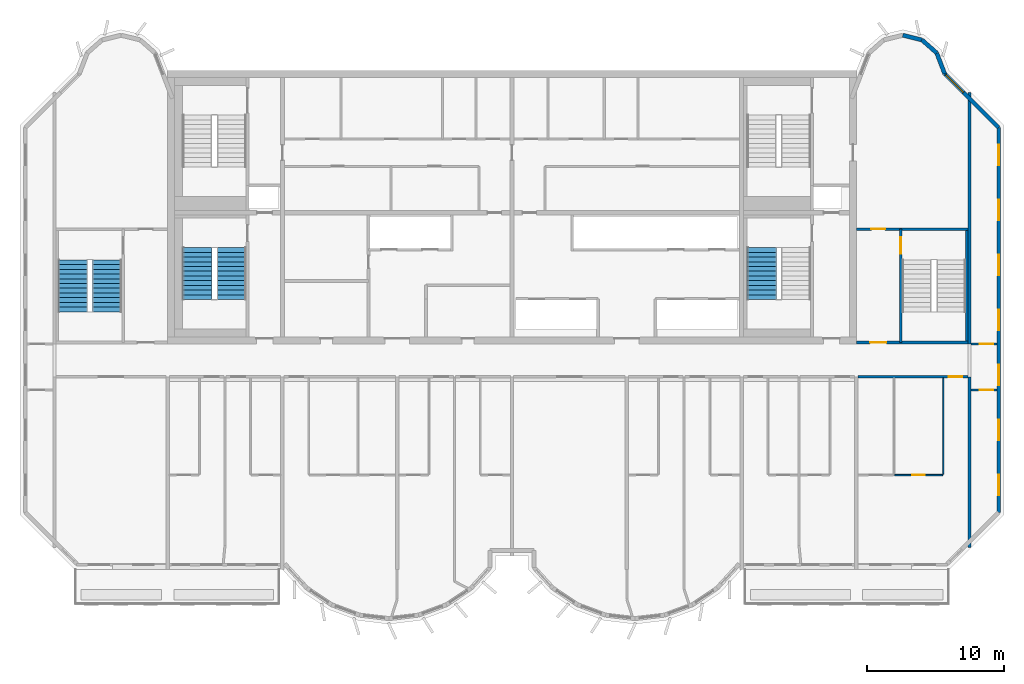
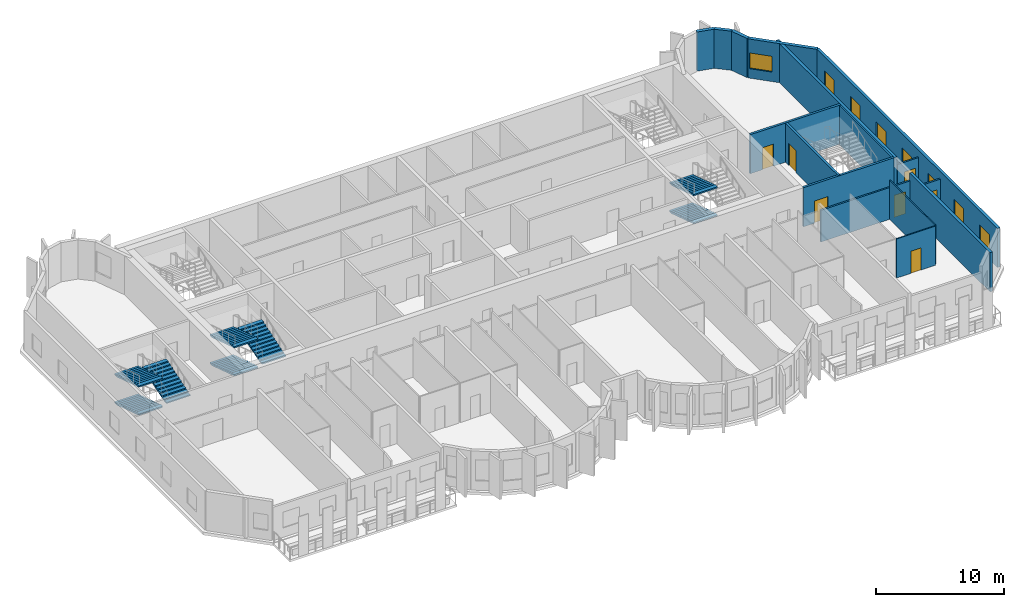
# One storey, part 8 of 12: 16 walls, 8 stair flights, 8 windows, 7 doors, 15 openings, 3 elements without a shape of their own.
"""IFC4 building model written with IfcOpenShell, lengths in metres."""

from ifc_helpers import new_model, si_unit, direction, frame, frame_2d, origin, place, context, subcontext, project, spatial, polyline, rectangle, outline, extrude, source, transform, mapped, material, layer, layer_set, type_object, element, fill, aggregate, save


model = new_model("IFC4")

# Units and contexts
model_context = context("Model", 3, precision=1e-05, world=origin(), true_north=direction((0.0, 1.0)))
body_context = subcontext(model_context, "Body", "Model", "MODEL_VIEW")
ifc_project = project(units=[si_unit("LENGTHUNIT", "METRE"), si_unit("AREAUNIT", "SQUARE_METRE"), si_unit("VOLUMEUNIT", "CUBIC_METRE"), si_unit("PLANEANGLEUNIT", "RADIAN"), si_unit("MASSUNIT", "GRAM", prefix="KILO")], contexts=[model_context])

# Site, building, storey
site_placement = place(None, origin())
site = spatial("IfcSite", under=ifc_project, at=site_placement, CompositionType="ELEMENT")
building_placement = place(site_placement, origin())
building = spatial("IfcBuilding", under=site, at=building_placement, Name="Vanashikhar Sky Hotel", CompositionType="ELEMENT")
storey_placement = place(building_placement, frame((0.0, 0.0, 301.699951171875)))
storey = spatial("IfcBuildingStorey", under=building, at=storey_placement, Name="L72", CompositionType="ELEMENT", Elevation=301.699951171875)

# Walls
ifc_material_1 = material(Name="Concrete M50", Category="concrete")
ifc_layer_1 = layer(ifc_material_1, 0.25)
ifc_layer_set_1 = layer_set([ifc_layer_1], Name="RC shear wall 250 Concrete M50")
wall_type_1 = type_object("IfcWallType", Name="RC shear wall 250 Concrete M50", PredefinedType="SHEAR", material=ifc_layer_set_1)
shared_shape_1 = source(origin(), body_context, "Body", "SweptSolid", [
    extrude(rectangle(XDim=12.5, YDim=0.25, at=frame_2d((6.25, 0.0))), origin(), (0.0, 0.0, 1.0), 3.719970703125),
])
wall_1_placement = place(storey_placement, frame((83.875, 7.10009765625, 0.0), z_axis=(0.0, 0.0, 1.0), x_axis=(0.0, 1.0, 0.0)))
element("IfcWall", 1, at=wall_1_placement, inside=storey, type_object=wall_type_1, Name="CW-L72-XW11-1", PredefinedType="SHEAR", context=body_context, shape_type="MappedRepresentation", body=[
    mapped(shared_shape_1, transform((0.0, 0.0, 0.0), scale=1.0)),
])
shared_shape_2 = source(origin(), body_context, "Body", "SweptSolid", [
    extrude(rectangle(XDim=18.39990234375, YDim=0.25, at=frame_2d((9.199951171875, 0.0))), origin(), (0.0, 0.0, 1.0), 3.719970703125),
])
wall_2_placement = place(storey_placement, frame((83.875, 22.0, 0.0), z_axis=(0.0, 0.0, 1.0), x_axis=(0.0, 1.0, 0.0)))
element("IfcWall", 2, at=wall_2_placement, inside=storey, type_object=wall_type_1, Name="CW-L72-XW11-2", PredefinedType="SHEAR", context=body_context, shape_type="MappedRepresentation", body=[
    mapped(shared_shape_2, transform((0.0, 0.0, 0.0), scale=1.0)),
])

# Wall, opening, window
ifc_layer_2 = layer(ifc_material_1, 0.300048828125)
ifc_layer_set_2 = layer_set([ifc_layer_2], Name="Lobe wall 300")
wall_type_2 = type_object("IfcWallType", Name="Lobe wall 300", PredefinedType="SOLIDWALL", material=ifc_layer_set_2)
shared_shape_3 = source(origin(), body_context, "Body", "SweptSolid", [
    extrude(rectangle(XDim=5.576416015625, YDim=0.300048828125, at=frame_2d((2.7880859375, 0.0))), origin(), (0.0, 0.0, 1.0), 3.719970703125),
])
wall_3_placement = place(storey_placement, frame((86.0, 37.834228515625, 0.0), z_axis=(0.0, 0.0, 1.0), x_axis=(-0.707106781187, 0.707106781187, 0.0)))
wall_3 = element("IfcWall", 3, at=wall_3_placement, inside=storey, type_object=wall_type_2, Name="Corner wall", PredefinedType="SOLIDWALL", context=body_context, shape_type="MappedRepresentation", body=[
    mapped(shared_shape_3, transform((0.0, 0.0, 0.0), scale=1.0)),
])
shared_shape_4 = source(origin(), body_context, "Body", "SweptSolid", [
    extrude(rectangle(XDim=1.800048828125, YDim=1.5, at=frame_2d((0.89990234375, 0.75))), frame((0.0, 0.16015625, 0.0), z_axis=(0.0, -1.0, 0.0), x_axis=(1.0, 0.0, 0.0)), (0.0, 0.0, 1.0), 0.320068359375),
])
opening_1_placement = place(wall_3_placement, frame((3.640869140625, 0.0, 0.89990234375)))
opening_1 = element("IfcOpeningElement", 4, at=opening_1_placement, cuts=wall_3, Name="Opening WN-4", PredefinedType="OPENING", context=body_context, shape_type="MappedRepresentation", body=[
    mapped(shared_shape_4, transform((0.0, 0.0, 0.0), scale=1.0)),
])
ifc_material_2 = material(Name="Glass", Category="glass")
window_type_1 = type_object("IfcWindowType", Name="Corner window 1800 x 1500", PartitioningType="SINGLE_PANEL", PredefinedType="WINDOW", material=ifc_material_2)
shared_shape_5 = source(origin(), body_context, "Body", "SweptSolid", [
    extrude(rectangle(XDim=1.800048828125, YDim=1.5, at=frame_2d((0.89990234375, 0.75))), frame((0.0, 0.030029296875, 0.0), z_axis=(0.0, -1.0, 0.0), x_axis=(1.0, 0.0, 0.0)), (0.0, 0.0, 1.0), 0.06005859375),
])
window_1_placement = place(opening_1_placement, origin())
window_1 = element("IfcWindow", 5, at=window_1_placement, inside=storey, type_object=window_type_1, Name="Window WN-4", OverallHeight=1.5, OverallWidth=1.800048828125, PartitioningType="SINGLE_PANEL", PredefinedType="WINDOW", context=body_context, shape_type="MappedRepresentation", body=[
    mapped(shared_shape_5, transform((0.0, 0.0, 0.0), scale=1.0)),
])
fill(opening_1, window_1)

# Walls
shared_shape_6 = source(origin(), body_context, "Body", "SweptSolid", [
    extrude(rectangle(XDim=1.6220703125, YDim=0.300048828125, at=frame_2d((0.81103515625, 0.0))), origin(), (0.0, 0.0, 1.0), 3.719970703125),
])
wall_4_placement = place(storey_placement, frame((82.056884765625, 41.77734375, 0.0), z_axis=(0.0, 0.0, 1.0), x_axis=(-0.357778527068, 0.933806471154, 0.0)))
element("IfcWall", 6, at=wall_4_placement, inside=storey, type_object=wall_type_2, Name="Lobe wall", PredefinedType="SOLIDWALL", context=body_context, shape_type="MappedRepresentation", body=[
    mapped(shared_shape_6, transform((0.0, 0.0, 0.0), scale=1.0)),
])
shared_shape_7 = source(origin(), body_context, "Body", "SweptSolid", [
    extrude(rectangle(XDim=1.43994140625, YDim=0.300048828125, at=frame_2d((0.719970703125, 0.0))), origin(), (0.0, 0.0, 1.0), 3.719970703125),
])
wall_5_placement = place(storey_placement, frame((81.4765625, 43.2919921875, 0.0), z_axis=(0.0, 0.0, 1.0), x_axis=(-0.74957555648, 0.661918790432, 0.0)))
element("IfcWall", 7, at=wall_5_placement, inside=storey, type_object=wall_type_2, Name="Lobe wall", PredefinedType="SOLIDWALL", context=body_context, shape_type="MappedRepresentation", body=[
    mapped(shared_shape_7, transform((0.0, 0.0, 0.0), scale=1.0)),
])
shared_shape_8 = source(origin(), body_context, "Body", "SweptSolid", [
    extrude(rectangle(XDim=1.438720703125, YDim=0.300048828125, at=frame_2d((0.71923828125, 0.0))), origin(), (0.0, 0.0, 1.0), 3.719970703125),
])
wall_6_placement = place(storey_placement, frame((80.397216796875, 44.2451171875, 0.0), z_axis=(0.0, 0.0, 1.0), x_axis=(-0.971161932466, 0.238420848351, 0.0)))
element("IfcWall", 8, at=wall_6_placement, inside=storey, type_object=wall_type_2, Name="Lobe wall", PredefinedType="SOLIDWALL", context=body_context, shape_type="MappedRepresentation", body=[
    mapped(shared_shape_8, transform((0.0, 0.0, 0.0), scale=1.0)),
])

# Wall, openings, windows
ifc_layer_3 = layer(ifc_material_1, 0.25)
ifc_layer_set_3 = layer_set([ifc_layer_3], Name="Rear and end board-marked wall 250")
wall_type_3 = type_object("IfcWallType", Name="Rear and end board-marked wall 250", PredefinedType="SOLIDWALL", material=ifc_layer_set_3)
shared_shape_9 = source(origin(), body_context, "Body", "SweptSolid", [
    extrude(rectangle(XDim=28.189453125, YDim=0.25, at=frame_2d((14.0947265625, 0.0))), origin(), (0.0, 0.0, 1.0), 3.719970703125),
])
wall_7_placement = place(storey_placement, frame((86.02490234375, 9.6552734375, 0.0), z_axis=(0.0, 0.0, 1.0), x_axis=(0.0, 1.0, 0.0)))
wall_7 = element("IfcWall", 9, at=wall_7_placement, inside=storey, type_object=wall_type_3, Name="End board-marked wall", PredefinedType="SOLIDWALL", context=body_context, shape_type="MappedRepresentation", body=[
    mapped(shared_shape_9, transform((0.0, 0.0, 0.0), scale=1.0)),
])
shared_shape_10 = source(origin(), body_context, "Body", "SweptSolid", [
    extrude(rectangle(XDim=1.5, YDim=1.5, at=frame_2d((0.75, 0.75))), frame((0.0, 0.135009765625, 0.0), z_axis=(0.0, -1.0, 0.0), x_axis=(1.0, 0.0, 0.0)), (0.0, 0.0, 1.0), 0.27001953125),
])
opening_2_placement = place(wall_7_placement, frame((1.263427734375, 0.0, 0.89990234375)))
opening_2 = element("IfcOpeningElement", 10, at=opening_2_placement, cuts=wall_7, Name="Opening WN-1", PredefinedType="OPENING", context=body_context, shape_type="MappedRepresentation", body=[
    mapped(shared_shape_10, transform((0.0, 0.0, 0.0), scale=1.0)),
])
opening_3_placement = place(wall_7_placement, frame((5.29052734375, 0.0, 0.89990234375)))
opening_3 = element("IfcOpeningElement", 11, at=opening_3_placement, cuts=wall_7, Name="Opening WN-1", PredefinedType="OPENING", context=body_context, shape_type="MappedRepresentation", body=[
    mapped(shared_shape_10, transform((0.0, 0.0, 0.0), scale=1.0)),
])
opening_4_placement = place(wall_7_placement, frame((9.317626953125, 0.0, 0.89990234375)))
opening_4 = element("IfcOpeningElement", 12, at=opening_4_placement, cuts=wall_7, Name="Opening WN-1", PredefinedType="OPENING", context=body_context, shape_type="MappedRepresentation", body=[
    mapped(shared_shape_10, transform((0.0, 0.0, 0.0), scale=1.0)),
])
opening_5_placement = place(wall_7_placement, frame((13.3447265625, 0.0, 0.89990234375)))
opening_5 = element("IfcOpeningElement", 13, at=opening_5_placement, cuts=wall_7, Name="Opening WN-1", PredefinedType="OPENING", context=body_context, shape_type="MappedRepresentation", body=[
    mapped(shared_shape_10, transform((0.0, 0.0, 0.0), scale=1.0)),
])
opening_6_placement = place(wall_7_placement, frame((17.371826171875, 0.0, 0.89990234375)))
opening_6 = element("IfcOpeningElement", 14, at=opening_6_placement, cuts=wall_7, Name="Opening WN-1", PredefinedType="OPENING", context=body_context, shape_type="MappedRepresentation", body=[
    mapped(shared_shape_10, transform((0.0, 0.0, 0.0), scale=1.0)),
])
opening_7_placement = place(wall_7_placement, frame((21.398681640625, 0.0, 0.89990234375)))
opening_7 = element("IfcOpeningElement", 15, at=opening_7_placement, cuts=wall_7, Name="Opening WN-1", PredefinedType="OPENING", context=body_context, shape_type="MappedRepresentation", body=[
    mapped(shared_shape_10, transform((0.0, 0.0, 0.0), scale=1.0)),
])
opening_8_placement = place(wall_7_placement, frame((25.42578125, 0.0, 0.89990234375)))
opening_8 = element("IfcOpeningElement", 16, at=opening_8_placement, cuts=wall_7, Name="Opening WN-1", PredefinedType="OPENING", context=body_context, shape_type="MappedRepresentation", body=[
    mapped(shared_shape_10, transform((0.0, 0.0, 0.0), scale=1.0)),
])
window_type_2 = type_object("IfcWindowType", Name="Window 1500 x 1500", PartitioningType="SINGLE_PANEL", PredefinedType="WINDOW", material=ifc_material_2)
shared_shape_11 = source(origin(), body_context, "Body", "SweptSolid", [
    extrude(rectangle(XDim=1.5, YDim=1.5, at=frame_2d((0.75, 0.75))), frame((0.0, 0.030029296875, 0.0), z_axis=(0.0, -1.0, 0.0), x_axis=(1.0, 0.0, 0.0)), (0.0, 0.0, 1.0), 0.06005859375),
])
window_2_placement = place(opening_2_placement, origin())
window_2 = element("IfcWindow", 17, at=window_2_placement, inside=storey, type_object=window_type_2, Name="Window WN-1", OverallHeight=1.5, OverallWidth=1.5, PartitioningType="SINGLE_PANEL", PredefinedType="WINDOW", context=body_context, shape_type="MappedRepresentation", body=[
    mapped(shared_shape_11, transform((0.0, 0.0, 0.0), scale=1.0)),
])
fill(opening_2, window_2)
window_3_placement = place(opening_3_placement, origin())
window_3 = element("IfcWindow", 18, at=window_3_placement, inside=storey, type_object=window_type_2, Name="Window WN-1", OverallHeight=1.5, OverallWidth=1.5, PartitioningType="SINGLE_PANEL", PredefinedType="WINDOW", context=body_context, shape_type="MappedRepresentation", body=[
    mapped(shared_shape_11, transform((0.0, 0.0, 0.0), scale=1.0)),
])
fill(opening_3, window_3)
window_4_placement = place(opening_4_placement, origin())
window_4 = element("IfcWindow", 19, at=window_4_placement, inside=storey, type_object=window_type_2, Name="Window WN-1", OverallHeight=1.5, OverallWidth=1.5, PartitioningType="SINGLE_PANEL", PredefinedType="WINDOW", context=body_context, shape_type="MappedRepresentation", body=[
    mapped(shared_shape_11, transform((0.0, 0.0, 0.0), scale=1.0)),
])
fill(opening_4, window_4)
window_5_placement = place(opening_5_placement, origin())
window_5 = element("IfcWindow", 20, at=window_5_placement, inside=storey, type_object=window_type_2, Name="Window WN-1", OverallHeight=1.5, OverallWidth=1.5, PartitioningType="SINGLE_PANEL", PredefinedType="WINDOW", context=body_context, shape_type="MappedRepresentation", body=[
    mapped(shared_shape_11, transform((0.0, 0.0, 0.0), scale=1.0)),
])
fill(opening_5, window_5)
window_6_placement = place(opening_6_placement, origin())
window_6 = element("IfcWindow", 21, at=window_6_placement, inside=storey, type_object=window_type_2, Name="Window WN-1", OverallHeight=1.5, OverallWidth=1.5, PartitioningType="SINGLE_PANEL", PredefinedType="WINDOW", context=body_context, shape_type="MappedRepresentation", body=[
    mapped(shared_shape_11, transform((0.0, 0.0, 0.0), scale=1.0)),
])
fill(opening_6, window_6)
window_7_placement = place(opening_7_placement, origin())
window_7 = element("IfcWindow", 22, at=window_7_placement, inside=storey, type_object=window_type_2, Name="Window WN-1", OverallHeight=1.5, OverallWidth=1.5, PartitioningType="SINGLE_PANEL", PredefinedType="WINDOW", context=body_context, shape_type="MappedRepresentation", body=[
    mapped(shared_shape_11, transform((0.0, 0.0, 0.0), scale=1.0)),
])
fill(opening_7, window_7)
window_8_placement = place(opening_8_placement, origin())
window_8 = element("IfcWindow", 23, at=window_8_placement, inside=storey, type_object=window_type_2, Name="Window WN-1", OverallHeight=1.5, OverallWidth=1.5, PartitioningType="SINGLE_PANEL", PredefinedType="WINDOW", context=body_context, shape_type="MappedRepresentation", body=[
    mapped(shared_shape_11, transform((0.0, 0.0, 0.0), scale=1.0)),
])
fill(opening_8, window_8)

# Wall, opening, door
ifc_layer_4 = layer(ifc_material_1, 0.199951171875)
ifc_layer_set_4 = layer_set([ifc_layer_4], Name="Stair wall 200")
wall_type_4 = type_object("IfcWallType", Name="Stair wall 200", PredefinedType="SOLIDWALL", material=ifc_layer_set_4)
shared_shape_12 = source(origin(), body_context, "Body", "SweptSolid", [
    extrude(rectangle(XDim=8.2998046875, YDim=0.199951171875, at=frame_2d((4.14990234375, 0.0))), origin(), (0.0, 0.0, 1.0), 3.719970703125),
])
wall_8_placement = place(storey_placement, frame((78.85009765625, 22.10009765625, 0.0), z_axis=(0.0, 0.0, 1.0), x_axis=(0.0, 1.0, 0.0)))
wall_8 = element("IfcWall", 24, at=wall_8_placement, inside=storey, type_object=wall_type_4, Name="Stair wall 200", PredefinedType="SOLIDWALL", context=body_context, shape_type="MappedRepresentation", body=[
    mapped(shared_shape_12, transform((0.0, 0.0, 0.0), scale=1.0)),
])
shared_shape_13 = source(origin(), body_context, "Body", "SweptSolid", [
    extrude(rectangle(XDim=1.199951171875, YDim=2.10009765625, at=frame_2d((0.60009765625, 1.050048828125))), frame((0.0, 0.10986328125, 0.0), z_axis=(0.0, -1.0, 0.0), x_axis=(1.0, 0.0, 0.0)), (0.0, 0.0, 1.0), 0.219970703125),
])
opening_9_placement = place(wall_8_placement, frame((6.5, 0.0, 0.0)))
opening_9 = element("IfcOpeningElement", 25, at=opening_9_placement, cuts=wall_8, Name="Opening DC-1", PredefinedType="OPENING", context=body_context, shape_type="MappedRepresentation", body=[
    mapped(shared_shape_13, transform((0.0, 0.0, 0.0), scale=1.0)),
])
ifc_material_3 = material(Name="Steel", Category="steel")
door_type_1 = type_object("IfcDoorType", Name="Stair door 1200 FD120", OperationType="NOTDEFINED", PredefinedType="DOOR", material=ifc_material_3)
shared_shape_14 = source(origin(), body_context, "Body", "SweptSolid", [
    extrude(rectangle(XDim=1.199951171875, YDim=2.10009765625, at=frame_2d((0.60009765625, 1.050048828125))), frame((0.0, 0.02490234375, 0.0), z_axis=(0.0, -1.0, 0.0), x_axis=(1.0, 0.0, 0.0)), (0.0, 0.0, 1.0), 0.050048828125),
])
door_1_placement = place(opening_9_placement, origin())
door_1 = element("IfcDoor", 26, at=door_1_placement, inside=storey, type_object=door_type_1, Name="Stair door 1200 FD120", OperationType="SINGLE_SWING_LEFT", OverallHeight=2.10009765625, OverallWidth=1.199951171875, PredefinedType="DOOR", context=body_context, shape_type="MappedRepresentation", body=[
    mapped(shared_shape_14, transform((0.0, 0.0, 0.0), scale=1.0)),
])
fill(opening_9, door_1)

shared_shape_15 = source(origin(), body_context, "Body", "SweptSolid", [
    extrude(rectangle(XDim=8.14990234375, YDim=0.199951171875, at=frame_2d((4.074951171875, 0.0))), origin(), (0.0, 0.0, 1.0), 3.719970703125),
])
wall_9_placement = place(storey_placement, frame((83.75, 22.10009765625, 0.0), z_axis=(0.0, 0.0, 1.0), x_axis=(-1.0, 0.0, 0.0)))
wall_9 = element("IfcWall", 27, at=wall_9_placement, inside=storey, type_object=wall_type_4, Name="Stair wall 200", PredefinedType="SOLIDWALL", context=body_context, shape_type="MappedRepresentation", body=[
    mapped(shared_shape_15, transform((0.0, 0.0, 0.0), scale=1.0)),
])
opening_10_placement = place(wall_9_placement, frame((5.949951171875, 0.0, 0.0)))
opening_10 = element("IfcOpeningElement", 28, at=opening_10_placement, cuts=wall_9, Name="Opening DC-2", PredefinedType="OPENING", context=body_context, shape_type="MappedRepresentation", body=[
    mapped(shared_shape_13, transform((0.0, 0.0, 0.0), scale=1.0)),
])
door_type_2 = type_object("IfcDoorType", Name="Firefighting lobby door 1200 FD120", OperationType="NOTDEFINED", PredefinedType="DOOR", material=ifc_material_3)
door_2_placement = place(opening_10_placement, origin())
door_2 = element("IfcDoor", 29, at=door_2_placement, inside=storey, type_object=door_type_2, Name="Firefighting lobby door 1200 FD120", OperationType="SINGLE_SWING_LEFT", OverallHeight=2.10009765625, OverallWidth=1.199951171875, PredefinedType="DOOR", context=body_context, shape_type="MappedRepresentation", body=[
    mapped(shared_shape_14, transform((0.0, 0.0, 0.0), scale=1.0)),
])
fill(opening_10, door_2)

wall_10_placement = place(storey_placement, frame((83.75, 30.39990234375, 0.0), z_axis=(0.0, 0.0, 1.0), x_axis=(-1.0, 0.0, 0.0)))
wall_10 = element("IfcWall", 30, at=wall_10_placement, inside=storey, type_object=wall_type_4, Name="Stair wall 200", PredefinedType="SOLIDWALL", context=body_context, shape_type="MappedRepresentation", body=[
    mapped(shared_shape_15, transform((0.0, 0.0, 0.0), scale=1.0)),
])
shared_shape_16 = source(origin(), body_context, "Body", "SweptSolid", [
    extrude(rectangle(XDim=1.0, YDim=2.10009765625, at=frame_2d((0.5, 1.050048828125))), frame((0.0, 0.10986328125, 0.0), z_axis=(0.0, -1.0, 0.0), x_axis=(1.0, 0.0, 0.0)), (0.0, 0.0, 1.0), 0.219970703125),
])
opening_11_placement = place(wall_10_placement, frame((6.050048828125, 0.0, 0.0)))
opening_11 = element("IfcOpeningElement", 31, at=opening_11_placement, cuts=wall_10, Name="Opening DC-6", PredefinedType="OPENING", context=body_context, shape_type="MappedRepresentation", body=[
    mapped(shared_shape_16, transform((0.0, 0.0, 0.0), scale=1.0)),
])
door_type_3 = type_object("IfcDoorType", Name="Pocket door 1000 FD60", OperationType="NOTDEFINED", PredefinedType="DOOR", material=ifc_material_3)
shared_shape_17 = source(origin(), body_context, "Body", "SweptSolid", [
    extrude(rectangle(XDim=1.0, YDim=2.10009765625, at=frame_2d((0.5, 1.050048828125))), frame((0.0, 0.02490234375, 0.0), z_axis=(0.0, -1.0, 0.0), x_axis=(1.0, 0.0, 0.0)), (0.0, 0.0, 1.0), 0.050048828125),
])
door_3_placement = place(opening_11_placement, origin())
door_3 = element("IfcDoor", 32, at=door_3_placement, inside=storey, type_object=door_type_3, Name="Pocket door 1000 FD60", OperationType="SINGLE_SWING_LEFT", OverallHeight=2.10009765625, OverallWidth=1.0, PredefinedType="DOOR", context=body_context, shape_type="MappedRepresentation", body=[
    mapped(shared_shape_17, transform((0.0, 0.0, 0.0), scale=1.0)),
])
fill(opening_11, door_3)

# Wall
ifc_layer_5 = layer(ifc_material_1, 0.14990234375)
ifc_layer_set_5 = layer_set([ifc_layer_5], Name="Stair infill wall 150")
wall_type_5 = type_object("IfcWallType", Name="Stair infill wall 150", PredefinedType="SOLIDWALL", material=ifc_layer_set_5)
shared_shape_18 = source(origin(), body_context, "Body", "SweptSolid", [
    extrude(rectangle(XDim=8.10009765625, YDim=0.14990234375, at=frame_2d((4.050048828125, 0.0))), origin(), (0.0, 0.0, 1.0), 3.719970703125),
])
wall_11_placement = place(storey_placement, frame((83.675048828125, 22.199951171875, 0.0), z_axis=(0.0, 0.0, 1.0), x_axis=(0.0, 1.0, 0.0)))
element("IfcWall", 33, at=wall_11_placement, inside=storey, type_object=wall_type_5, Name="Stair infill wall 150", PredefinedType="SOLIDWALL", context=body_context, shape_type="MappedRepresentation", body=[
    mapped(shared_shape_18, transform((0.0, 0.0, 0.0), scale=1.0)),
])

# Wall, opening, door
ifc_material_4 = material(Name="Gypsum plasterboard partition")
ifc_layer_6 = layer(ifc_material_4, 0.10009765625)
ifc_layer_set_6 = layer_set([ifc_layer_6], Name="Wet room partition 100")
wall_type_6 = type_object("IfcWallType", Name="Wet room partition 100", PredefinedType="PARTITIONING", material=ifc_layer_set_6)
shared_shape_19 = source(origin(), body_context, "Body", "SweptSolid", [
    extrude(rectangle(XDim=3.5, YDim=0.10009765625, at=frame_2d((1.75, 0.0))), origin(), (0.0, 0.0, 1.0), 3.719970703125),
])
wall_12_placement = place(storey_placement, frame((78.39990234375, 12.39990234375, 0.0), z_axis=(0.0, 0.0, 1.0), x_axis=(1.0, 0.0, 0.0)))
wall_12 = element("IfcWall", 34, at=wall_12_placement, inside=storey, type_object=wall_type_6, Name="W-L72-PW038", PredefinedType="PARTITIONING", context=body_context, shape_type="MappedRepresentation", body=[
    mapped(shared_shape_19, transform((0.0, 0.0, 0.0), scale=1.0)),
])
shared_shape_20 = source(origin(), body_context, "Body", "SweptSolid", [
    extrude(rectangle(XDim=0.89990234375, YDim=2.10009765625, at=frame_2d((0.449951171875, 1.050048828125))), frame((0.0, 0.06005859375, 0.0), z_axis=(0.0, -1.0, 0.0), x_axis=(1.0, 0.0, 0.0)), (0.0, 0.0, 1.0), 0.1201171875),
])
opening_12_placement = place(wall_12_placement, frame((1.300048828125, 0.0, 0.0)))
opening_12 = element("IfcOpeningElement", 35, at=opening_12_placement, cuts=wall_12, Name="Opening D-02", PredefinedType="OPENING", context=body_context, shape_type="MappedRepresentation", body=[
    mapped(shared_shape_20, transform((0.0, 0.0, 0.0), scale=1.0)),
])
ifc_material_5 = material(Name="Timber door", Category="wood")
door_type_4 = type_object("IfcDoorType", Name="Internal door 900", OperationType="NOTDEFINED", PredefinedType="DOOR", material=ifc_material_5)
shared_shape_21 = source(origin(), body_context, "Body", "SweptSolid", [
    extrude(rectangle(XDim=0.89990234375, YDim=2.10009765625, at=frame_2d((0.449951171875, 1.050048828125))), frame((0.0, 0.02490234375, 0.0), z_axis=(0.0, -1.0, 0.0), x_axis=(1.0, 0.0, 0.0)), (0.0, 0.0, 1.0), 0.050048828125),
])
door_4_placement = place(opening_12_placement, origin())
door_4 = element("IfcDoor", 36, at=door_4_placement, inside=storey, type_object=door_type_4, Name="D-L72-022", OperationType="SINGLE_SWING_RIGHT", OverallHeight=2.10009765625, OverallWidth=0.89990234375, PredefinedType="DOOR", context=body_context, shape_type="MappedRepresentation", body=[
    mapped(shared_shape_21, transform((0.0, 0.0, 0.0), scale=1.0)),
])
fill(opening_12, door_4)

ifc_layer_7 = layer(ifc_material_4, 0.14990234375)
ifc_layer_set_7 = layer_set([ifc_layer_7], Name="Corridor and demising partition 150")
wall_type_7 = type_object("IfcWallType", Name="Corridor and demising partition 150", PredefinedType="PARTITIONING", material=ifc_layer_set_7)
shared_shape_22 = source(origin(), body_context, "Body", "SweptSolid", [
    extrude(rectangle(XDim=8.02490234375, YDim=0.14990234375, at=frame_2d((4.012451171875, 0.0))), origin(), (0.0, 0.0, 1.0), 3.02001953125),
])
wall_13_placement = place(storey_placement, frame((75.72509765625, 19.60009765625, 0.0), z_axis=(0.0, 0.0, 1.0), x_axis=(1.0, 0.0, 0.0)))
wall_13 = element("IfcWall", 37, at=wall_13_placement, inside=storey, type_object=wall_type_7, Name="W-L72-PW040", PredefinedType="PARTITIONING", context=body_context, shape_type="MappedRepresentation", body=[
    mapped(shared_shape_22, transform((0.0, 0.0, 0.0), scale=1.0)),
])
shared_shape_23 = source(origin(), body_context, "Body", "SweptSolid", [
    extrude(rectangle(XDim=1.0, YDim=2.10009765625, at=frame_2d((0.5, 1.050048828125))), frame((0.0, 0.0849609375, 0.0), z_axis=(0.0, -1.0, 0.0), x_axis=(1.0, 0.0, 0.0)), (0.0, 0.0, 1.0), 0.169921875),
])
opening_13_placement = place(wall_13_placement, frame((6.625, 0.0, 0.0)))
opening_13 = element("IfcOpeningElement", 38, at=opening_13_placement, cuts=wall_13, Name="Opening D-01", PredefinedType="OPENING", context=body_context, shape_type="MappedRepresentation", body=[
    mapped(shared_shape_23, transform((0.0, 0.0, 0.0), scale=1.0)),
])
ifc_material_6 = material(Name="Timber fire door", Category="wood")
door_type_5 = type_object("IfcDoorType", Name="Guest entry door 1000 FD30S", OperationType="NOTDEFINED", PredefinedType="DOOR", material=ifc_material_6)
door_5_placement = place(opening_13_placement, origin())
door_5 = element("IfcDoor", 39, at=door_5_placement, inside=storey, type_object=door_type_5, Name="D-L72-024", OperationType="SINGLE_SWING_RIGHT", OverallHeight=2.10009765625, OverallWidth=1.0, PredefinedType="DOOR", context=body_context, shape_type="MappedRepresentation", body=[
    mapped(shared_shape_17, transform((0.0, 0.0, 0.0), scale=1.0)),
])
fill(opening_13, door_5)

shared_shape_24 = source(origin(), body_context, "Body", "SweptSolid", [
    extrude(rectangle(XDim=1.89990234375, YDim=0.14990234375, at=frame_2d((0.949951171875, 0.0))), origin(), (0.0, 0.0, 1.0), 3.02001953125),
])
wall_14_placement = place(storey_placement, frame((84.0, 22.0, 0.0), z_axis=(0.0, 0.0, 1.0), x_axis=(1.0, 0.0, 0.0)))
wall_14 = element("IfcWall", 40, at=wall_14_placement, inside=storey, type_object=wall_type_7, Name="W-L72-PW044", PredefinedType="PARTITIONING", context=body_context, shape_type="MappedRepresentation", body=[
    mapped(shared_shape_24, transform((0.0, 0.0, 0.0), scale=1.0)),
])
opening_14_placement = place(wall_14_placement, frame((0.625, 0.0, 0.0)))
opening_14 = element("IfcOpeningElement", 41, at=opening_14_placement, cuts=wall_14, Name="Opening D-01", PredefinedType="OPENING", context=body_context, shape_type="MappedRepresentation", body=[
    mapped(shared_shape_23, transform((0.0, 0.0, 0.0), scale=1.0)),
])
door_6_placement = place(opening_14_placement, origin())
door_6 = element("IfcDoor", 42, at=door_6_placement, inside=storey, type_object=door_type_5, Name="D-L72-026", OperationType="SINGLE_SWING_RIGHT", OverallHeight=2.10009765625, OverallWidth=1.0, PredefinedType="DOOR", context=body_context, shape_type="MappedRepresentation", body=[
    mapped(shared_shape_17, transform((0.0, 0.0, 0.0), scale=1.0)),
])
fill(opening_14, door_6)

wall_15_placement = place(storey_placement, frame((84.0, 18.6279296875, 0.0), z_axis=(0.0, 0.0, 1.0), x_axis=(1.0, 0.0, 0.0)))
wall_15 = element("IfcWall", 43, at=wall_15_placement, inside=storey, type_object=wall_type_7, Name="W-L72-PW046", PredefinedType="PARTITIONING", context=body_context, shape_type="MappedRepresentation", body=[
    mapped(shared_shape_24, transform((0.0, 0.0, 0.0), scale=1.0)),
])
opening_15_placement = place(wall_15_placement, frame((0.625, 0.0, 0.0)))
opening_15 = element("IfcOpeningElement", 44, at=opening_15_placement, cuts=wall_15, Name="Opening D-01", PredefinedType="OPENING", context=body_context, shape_type="MappedRepresentation", body=[
    mapped(shared_shape_23, transform((0.0, 0.0, 0.0), scale=1.0)),
])
door_7_placement = place(opening_15_placement, origin())
door_7 = element("IfcDoor", 45, at=door_7_placement, inside=storey, type_object=door_type_5, Name="D-L72-028", OperationType="SINGLE_SWING_RIGHT", OverallHeight=2.10009765625, OverallWidth=1.0, PredefinedType="DOOR", context=body_context, shape_type="MappedRepresentation", body=[
    mapped(shared_shape_17, transform((0.0, 0.0, 0.0), scale=1.0)),
])
fill(opening_15, door_7)

# Wall
shared_shape_25 = source(origin(), body_context, "Body", "SweptSolid", [
    extrude(rectangle(XDim=7.0498046875, YDim=0.10009765625, at=frame_2d((3.52490234375, 0.0))), origin(), (0.0, 0.0, 1.0), 3.719970703125),
])
wall_16_placement = place(storey_placement, frame((81.949951171875, 12.47509765625, 0.0), z_axis=(0.0, 0.0, 1.0), x_axis=(0.0, 1.0, 0.0)))
element("IfcWall", 46, at=wall_16_placement, inside=storey, type_object=wall_type_6, Name="W-L72-PW036", PredefinedType="PARTITIONING", context=body_context, shape_type="MappedRepresentation", body=[
    mapped(shared_shape_25, transform((0.0, 0.0, 0.0), scale=1.0)),
])

# Stair, stair flights
ifc_material_7 = material(Name="Concrete M40", Category="concrete")
stair_type = type_object("IfcStairType", Name="Exit stair 2150", PredefinedType="DOUBLE_RETURN_STAIR", material=ifc_material_7)
stair_1_placement = place(storey_placement, origin())
stair_1 = element("IfcStair", 47, at=stair_1_placement, inside=storey, type_object=stair_type, Name="L72 Exit stair 1", PredefinedType="DOUBLE_RETURN_STAIR")
stair_flight_type = type_object("IfcStairFlightType", Name="Stair flight 2150", PredefinedType="STRAIGHT", material=ifc_material_7)
shared_shape_26 = source(origin(), body_context, "Body", "SweptSolid", [
    extrude(outline(polyline([(0.0, 0.0), (0.0, 0.111083984375), (0.345458984375, 0.111083984375), (0.345458984375, 0.22216796875), (0.69091796875, 0.22216796875), (0.69091796875, 0.333251953125), (1.036376953125, 0.333251953125), (1.036376953125, 0.4443359375), (1.3818359375, 0.4443359375), (1.3818359375, 0.5556640625), (1.727294921875, 0.5556640625), (1.727294921875, 0.666748046875), (2.07275390625, 0.666748046875), (2.07275390625, 0.77783203125), (2.418212890625, 0.77783203125), (2.418212890625, 0.888916015625), (2.763671875, 0.888916015625), (2.763671875, 1.0), (3.109130859375, 1.0), (3.109130859375, 1.111083984375), (3.45458984375, 1.111083984375), (3.45458984375, 1.22216796875), (3.800048828125, 1.22216796875), (3.800048828125, 1.333251953125), (3.800048828125, 1.095947265625), (0.392333984375, 0.0), (0.0, 0.0)])), frame((0.0, 1.074951171875, 0.0), z_axis=(0.0, -1.0, 0.0), x_axis=(1.0, 0.0, 0.0)), (0.0, 0.0, 1.0), 2.14990234375),
])
stair_flight_1_placement = place(storey_placement, frame((27.375, 29.050048828125, 0.0), z_axis=(0.0, 0.0, 1.0), x_axis=(0.0, -1.0, 0.0)))
stair_flight_1 = element("IfcStairFlight", 48, at=stair_flight_1_placement, type_object=stair_flight_type, Name="ST-C1 flight 1", NumberOfRisers=12, NumberOfTreads=11, PredefinedType="STRAIGHT", RiserHeight=0.111111111, TreadLength=0.345454545, context=body_context, shape_type="MappedRepresentation", body=[
    mapped(shared_shape_26, transform((0.0, 0.0, 0.0), scale=1.0)),
])
stair_flight_2_placement = place(storey_placement, frame((29.875, 25.25, 1.33349609375), z_axis=(0.0, 0.0, 1.0), x_axis=(0.0, 1.0, 0.0)))
stair_flight_2 = element("IfcStairFlight", 49, at=stair_flight_2_placement, type_object=stair_flight_type, Name="ST-C1 flight 2", NumberOfRisers=12, NumberOfTreads=11, PredefinedType="STRAIGHT", RiserHeight=0.111111111, TreadLength=0.345454545, context=body_context, shape_type="MappedRepresentation", body=[
    mapped(shared_shape_26, transform((0.0, 0.0, 0.0), scale=1.0)),
])
stair_flight_3_placement = place(storey_placement, frame((27.375, 29.050048828125, 2.666748046875), z_axis=(0.0, 0.0, 1.0), x_axis=(0.0, -1.0, 0.0)))
stair_flight_3 = element("IfcStairFlight", 50, at=stair_flight_3_placement, type_object=stair_flight_type, Name="ST-C1 flight 3", NumberOfRisers=12, NumberOfTreads=11, PredefinedType="STRAIGHT", RiserHeight=0.111111111, TreadLength=0.345454545, context=body_context, shape_type="MappedRepresentation", body=[
    mapped(shared_shape_26, transform((0.0, 0.0, 0.0), scale=1.0)),
])
aggregate(stair_1, [stair_flight_1, stair_flight_2, stair_flight_3])

stair_2_placement = place(storey_placement, origin())
stair_2 = element("IfcStair", 51, at=stair_2_placement, inside=storey, type_object=stair_type, Name="L72 Exit stair 2", PredefinedType="DOUBLE_RETURN_STAIR")
stair_flight_4_placement = place(storey_placement, frame((68.675048828125, 29.050048828125, 0.0), z_axis=(0.0, 0.0, 1.0), x_axis=(0.0, -1.0, 0.0)))
stair_flight_4 = element("IfcStairFlight", 52, at=stair_flight_4_placement, type_object=stair_flight_type, Name="ST-C2 flight 1", NumberOfRisers=12, NumberOfTreads=11, PredefinedType="STRAIGHT", RiserHeight=0.111111111, TreadLength=0.345454545, context=body_context, shape_type="MappedRepresentation", body=[
    mapped(shared_shape_26, transform((0.0, 0.0, 0.0), scale=1.0)),
])
stair_flight_5_placement = place(storey_placement, frame((68.675048828125, 29.050048828125, 2.666748046875), z_axis=(0.0, 0.0, 1.0), x_axis=(0.0, -1.0, 0.0)))
stair_flight_5 = element("IfcStairFlight", 53, at=stair_flight_5_placement, type_object=stair_flight_type, Name="ST-C2 flight 3", NumberOfRisers=12, NumberOfTreads=11, PredefinedType="STRAIGHT", RiserHeight=0.111111111, TreadLength=0.345454545, context=body_context, shape_type="MappedRepresentation", body=[
    mapped(shared_shape_26, transform((0.0, 0.0, 0.0), scale=1.0)),
])
aggregate(stair_2, [stair_flight_4, stair_flight_5])

stair_3_placement = place(storey_placement, origin())
stair_3 = element("IfcStair", 54, at=stair_3_placement, inside=storey, type_object=stair_type, Name="L72 Exit stair 3", PredefinedType="DOUBLE_RETURN_STAIR")
stair_flight_6_placement = place(storey_placement, frame((18.27490234375, 28.14990234375, 0.0), z_axis=(0.0, 0.0, 1.0), x_axis=(0.0, -1.0, 0.0)))
stair_flight_6 = element("IfcStairFlight", 55, at=stair_flight_6_placement, type_object=stair_flight_type, Name="ST-W flight 1", NumberOfRisers=12, NumberOfTreads=11, PredefinedType="STRAIGHT", RiserHeight=0.111111111, TreadLength=0.345454545, context=body_context, shape_type="MappedRepresentation", body=[
    mapped(shared_shape_26, transform((0.0, 0.0, 0.0), scale=1.0)),
])
stair_flight_7_placement = place(storey_placement, frame((20.77490234375, 24.35009765625, 1.33349609375), z_axis=(0.0, 0.0, 1.0), x_axis=(0.0, 1.0, 0.0)))
stair_flight_7 = element("IfcStairFlight", 56, at=stair_flight_7_placement, type_object=stair_flight_type, Name="ST-W flight 2", NumberOfRisers=12, NumberOfTreads=11, PredefinedType="STRAIGHT", RiserHeight=0.111111111, TreadLength=0.345454545, context=body_context, shape_type="MappedRepresentation", body=[
    mapped(shared_shape_26, transform((0.0, 0.0, 0.0), scale=1.0)),
])
stair_flight_8_placement = place(storey_placement, frame((18.27490234375, 28.14990234375, 2.666748046875), z_axis=(0.0, 0.0, 1.0), x_axis=(0.0, -1.0, 0.0)))
stair_flight_8 = element("IfcStairFlight", 57, at=stair_flight_8_placement, type_object=stair_flight_type, Name="ST-W flight 3", NumberOfRisers=12, NumberOfTreads=11, PredefinedType="STRAIGHT", RiserHeight=0.111111111, TreadLength=0.345454545, context=body_context, shape_type="MappedRepresentation", body=[
    mapped(shared_shape_26, transform((0.0, 0.0, 0.0), scale=1.0)),
])
aggregate(stair_3, [stair_flight_6, stair_flight_7, stair_flight_8])

save(model, "model.ifc")
